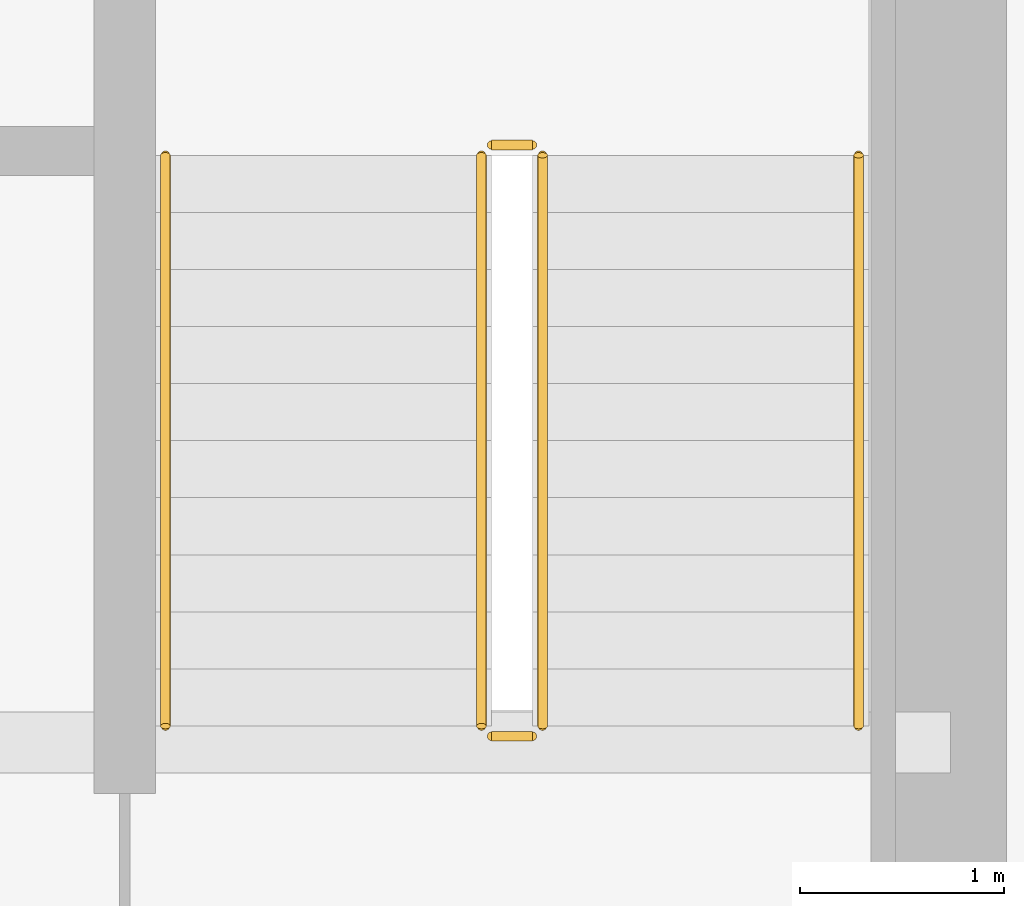
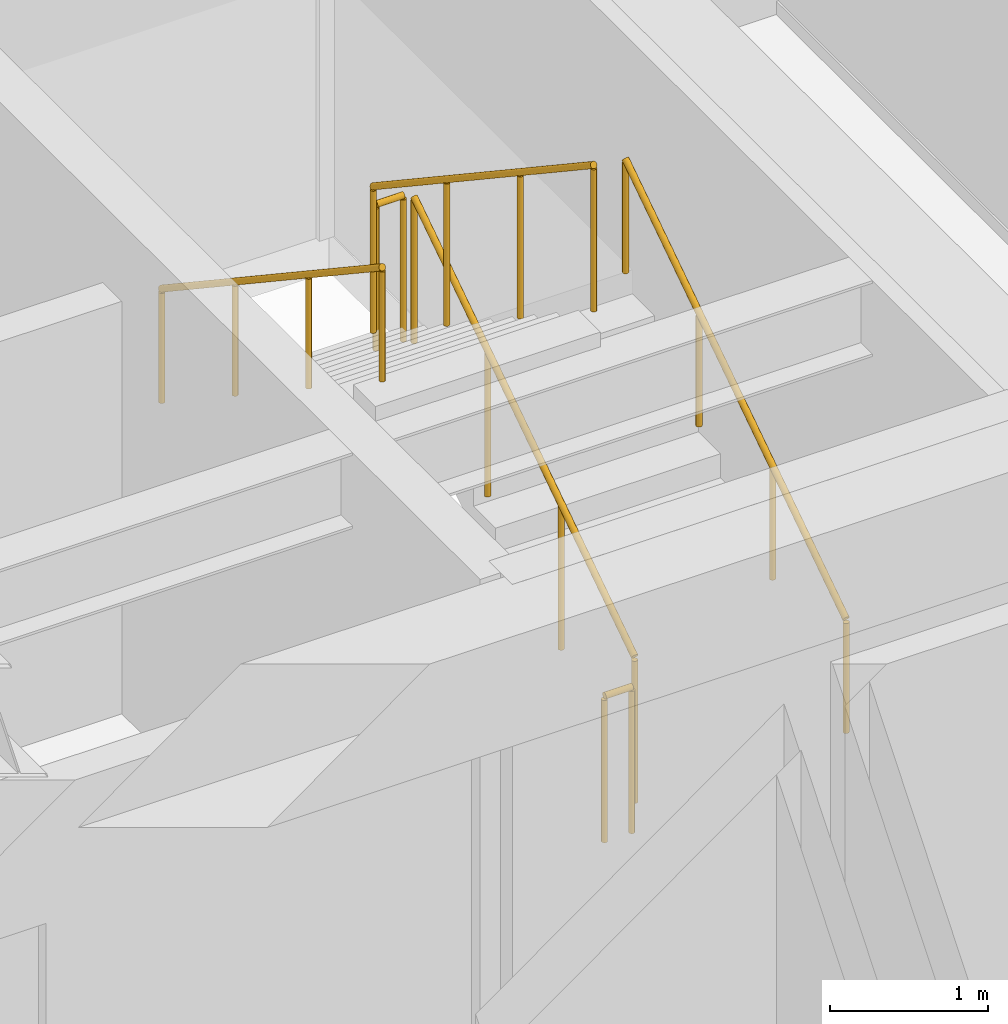
# One storey, part 33 of 33: 6 railings.
"""IFC4 building model written with IfcOpenShell, lengths in metres."""

from ifc_helpers import new_model, si_unit, direction, frame, origin, origin_2d, place, context, subcontext, project, spatial, circle, extrude, source, transform, mapped, material, type_object, type_shapes, element, save


model = new_model("IFC4")

# Units and contexts
model_context = context("Model", 3, precision=1e-05, world=origin(), true_north=direction((0.0, 1.0)))
body_context = subcontext(model_context, "Body", "Model", "MODEL_VIEW")
ifc_project = project(units=[si_unit("LENGTHUNIT", "METRE"), si_unit("AREAUNIT", "SQUARE_METRE"), si_unit("VOLUMEUNIT", "CUBIC_METRE"), si_unit("PLANEANGLEUNIT", "RADIAN"), si_unit("MASSUNIT", "GRAM", prefix="KILO")], contexts=[model_context])

# Site, building, storey
site_placement = place(None, origin())
site = spatial("IfcSite", under=ifc_project, at=site_placement, CompositionType="ELEMENT")
building_placement = place(site_placement, origin())
building = spatial("IfcBuilding", under=site, at=building_placement, Name="Haelvirn Gate Laboratories", CompositionType="ELEMENT")
storey_placement = place(building_placement, frame((0.0, 0.0, 238.300048828125)))
storey = spatial("IfcBuildingStorey", under=building, at=storey_placement, Name="L57", CompositionType="ELEMENT", Elevation=238.300048828125)

# Railings
ifc_material_1 = material(Name="Galvanised steel SM355 & stainless top rail", Category="steel")
railing_type_1 = type_object("IfcRailingType", Name="RL-GUARD-1150", PredefinedType="GUARDRAIL", material=ifc_material_1)
shared_shape_1 = source(origin(), body_context, "Body", "SweptSolid", [
    extrude(circle(Radius=0.02392578125, at=origin_2d()), frame((0.0, 0.0, 1.1259765625), z_axis=(0.0, 0.832452072856, 0.554097055034), x_axis=(-1.0, 0.0, 0.0)), (0.0, 0.0, 1.0), 3.363525390625),
    extrude(circle(Radius=0.02099609375, at=origin_2d()), origin(), (0.0, 0.0, 1.0), 1.101806640625),
    extrude(circle(Radius=0.02099609375, at=origin_2d()), frame((0.0, 0.933349609375, 0.621337890625)), (0.0, 0.0, 1.0), 1.101806640625),
    extrude(circle(Radius=0.02099609375, at=origin_2d()), frame((0.0, 1.86669921875, 1.242431640625)), (0.0, 0.0, 1.0), 1.101806640625),
    extrude(circle(Radius=0.02099609375, at=origin_2d()), frame((0.0, 2.800048828125, 1.86376953125)), (0.0, 0.0, 1.0), 1.101806640625),
])
railing_1_placement = place(storey_placement, frame((65.39990234375, 26.699951171875, 0.186279296875)))
element("IfcRailing", 1, at=railing_1_placement, inside=storey, type_object=railing_type_1, Name="L57 ST2 stair guard 1", PredefinedType="GUARDRAIL", context=body_context, shape_type="MappedRepresentation", body=[
    mapped(shared_shape_1, transform((0.0, 0.0, 0.0), scale=1.0)),
])
shared_shape_2 = source(origin(), body_context, "Body", "SweptSolid", [
    extrude(circle(Radius=0.02392578125, at=origin_2d()), frame((0.0, 0.0, 1.1259765625), z_axis=(0.0, -0.832485552168, 0.554046753832), x_axis=(1.0, 0.0, 0.0)), (0.0, 0.0, 1.0), 3.363525390625),
    extrude(circle(Radius=0.02099609375, at=origin_2d()), origin(), (0.0, 0.0, 1.0), 1.101806640625),
    extrude(circle(Radius=0.02099609375, at=origin_2d()), frame((0.0, -0.933349609375, 0.62109375)), (0.0, 0.0, 1.0), 1.101806640625),
    extrude(circle(Radius=0.02099609375, at=origin_2d()), frame((0.0, -1.86669921875, 1.242431640625)), (0.0, 0.0, 1.0), 1.101806640625),
    extrude(circle(Radius=0.02099609375, at=origin_2d()), frame((0.0, -2.800048828125, 1.863525390625)), (0.0, 0.0, 1.0), 1.101806640625),
])
railing_2_placement = place(storey_placement, frame((65.10009765625, 29.5, 2.236328125)))
element("IfcRailing", 2, at=railing_2_placement, inside=storey, type_object=railing_type_1, Name="L57 ST2 stair guard 3", PredefinedType="GUARDRAIL", context=body_context, shape_type="MappedRepresentation", body=[
    mapped(shared_shape_2, transform((0.0, 0.0, 0.0), scale=1.0)),
])
ifc_material_2 = material(Name="Brushed stainless steel 316L", Category="steel")
railing_type_2 = type_object("IfcRailingType", Name="RL-HAND-920", PredefinedType="HANDRAIL", material=ifc_material_2)
shared_shape_3 = source(origin(), body_context, "Body", "SweptSolid", [
    extrude(circle(Radius=0.02392578125, at=origin_2d()), frame((0.0, 0.0, 0.8759765625), z_axis=(0.0, 0.832452072856, 0.554097055034), x_axis=(-1.0, 0.0, 0.0)), (0.0, 0.0, 1.0), 3.363525390625),
    extrude(circle(Radius=0.02099609375, at=origin_2d()), origin(), (0.0, 0.0, 1.0), 0.851806640625),
    extrude(circle(Radius=0.02099609375, at=origin_2d()), frame((0.0, 0.933349609375, 0.621337890625)), (0.0, 0.0, 1.0), 0.851806640625),
    extrude(circle(Radius=0.02099609375, at=origin_2d()), frame((0.0, 1.86669921875, 1.242431640625)), (0.0, 0.0, 1.0), 0.851806640625),
    extrude(circle(Radius=0.02099609375, at=origin_2d()), frame((0.0, 2.800048828125, 1.86376953125)), (0.0, 0.0, 1.0), 0.851806640625),
])
railing_3_placement = place(storey_placement, frame((66.949951171875, 26.699951171875, 0.186279296875)))
element("IfcRailing", 3, at=railing_3_placement, inside=storey, type_object=railing_type_2, Name="L57 ST2 stair handrail 1", PredefinedType="HANDRAIL", context=body_context, shape_type="MappedRepresentation", body=[
    mapped(shared_shape_3, transform((0.0, 0.0, 0.0), scale=1.0)),
])
shared_shape_4 = source(origin(), body_context, "Body", "SweptSolid", [
    extrude(circle(Radius=0.02392578125, at=origin_2d()), frame((0.0, 0.0, 0.8759765625), z_axis=(0.0, -0.832485552168, 0.554046753832), x_axis=(1.0, 0.0, 0.0)), (0.0, 0.0, 1.0), 3.363525390625),
    extrude(circle(Radius=0.02099609375, at=origin_2d()), origin(), (0.0, 0.0, 1.0), 0.851806640625),
    extrude(circle(Radius=0.02099609375, at=origin_2d()), frame((0.0, -0.933349609375, 0.62109375)), (0.0, 0.0, 1.0), 0.851806640625),
    extrude(circle(Radius=0.02099609375, at=origin_2d()), frame((0.0, -1.86669921875, 1.242431640625)), (0.0, 0.0, 1.0), 0.851806640625),
    extrude(circle(Radius=0.02099609375, at=origin_2d()), frame((0.0, -2.800048828125, 1.863525390625)), (0.0, 0.0, 1.0), 0.851806640625),
])
type_shapes(railing_type_2, [shared_shape_3, shared_shape_4])
railing_4_placement = place(storey_placement, frame((63.550048828125, 29.5, 2.236328125)))
element("IfcRailing", 4, at=railing_4_placement, inside=storey, type_object=railing_type_2, Name="L57 ST2 stair handrail 2", PredefinedType="HANDRAIL", context=body_context, shape_type="MappedRepresentation", body=[
    mapped(shared_shape_4, transform((0.0, 0.0, 0.0), scale=1.0)),
])
shared_shape_5 = source(origin(), body_context, "Body", "SweptSolid", [
    extrude(circle(Radius=0.02392578125, at=origin_2d()), frame((0.0, 0.0, 1.1259765625), z_axis=(-1.0, 0.0, 0.0), x_axis=(0.0, -1.0, 0.0)), (0.0, 0.0, 1.0), 0.2001953125),
    extrude(circle(Radius=0.02099609375, at=origin_2d()), origin(), (0.0, 0.0, 1.0), 1.101806640625),
    extrude(circle(Radius=0.02099609375, at=origin_2d()), frame((-0.2001953125, 0.0, 0.0)), (0.0, 0.0, 1.0), 1.101806640625),
])
type_shapes(railing_type_1, [shared_shape_1, shared_shape_2, shared_shape_5])
for number, where, name in (
    (5, (65.35009765625, 29.550048828125, 2.050048828125), "L57 ST2 stair guard 2"),
    (6, (65.35009765625, 26.64990234375, 0.0), "L57 ST2 stair guard 4"),
):
    element("IfcRailing", number, at=place(storey_placement, frame(where)), inside=storey, type_object=railing_type_1, Name=name, PredefinedType="GUARDRAIL", context=body_context, shape_type="MappedRepresentation", body=[
        mapped(shared_shape_5, transform((0.0, 0.0, 0.0), scale=1.0)),
    ])

save(model, "model.ifc")
